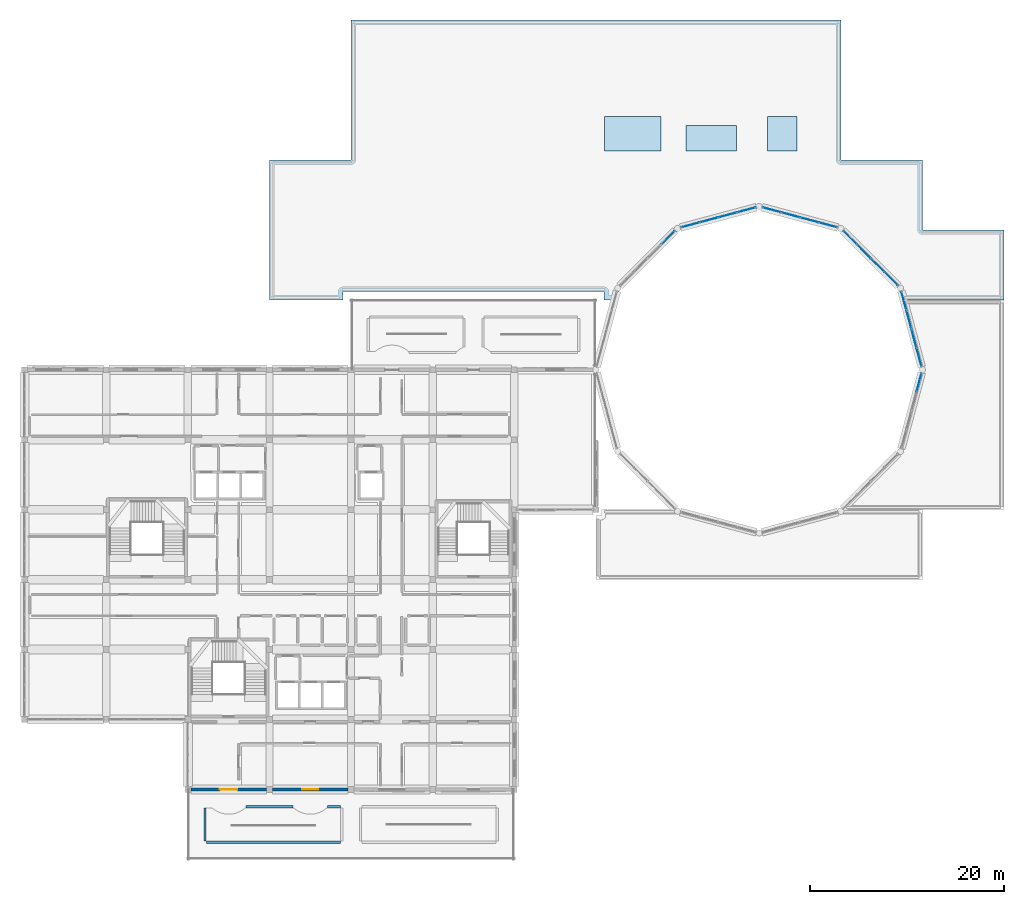
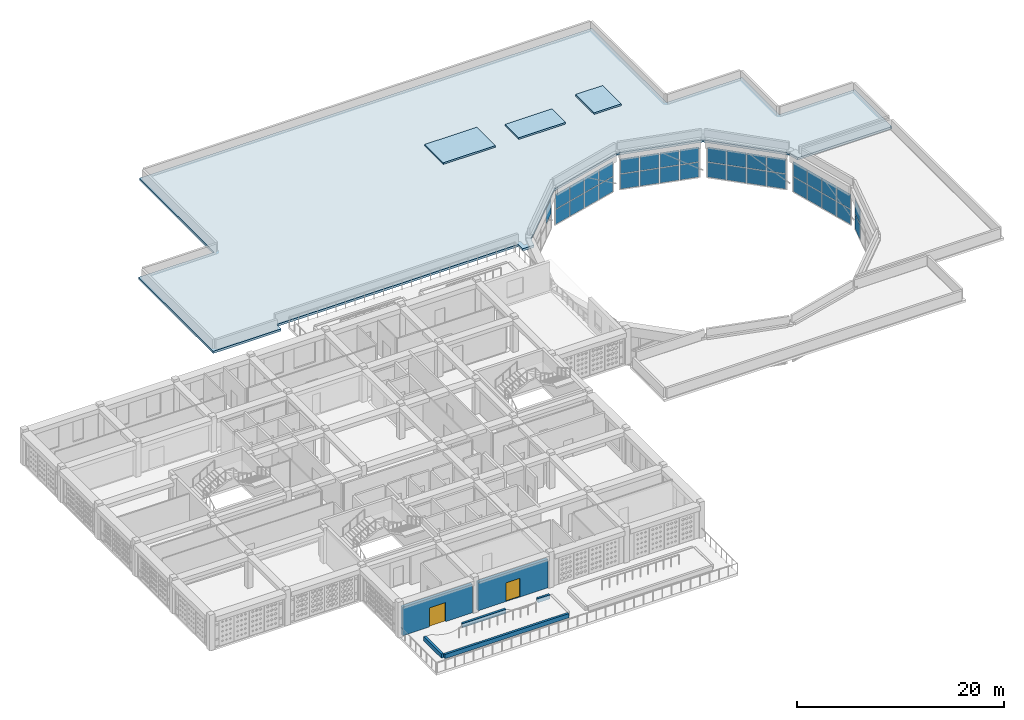
# One storey, part 27 of 48: 35 plates, 6 walls, 4 slabs, 2 doors, 2 openings, 6 elements without a shape of their own.
"""IFC4 building model written with IfcOpenShell, lengths in metres."""

from ifc_helpers import new_model, si_unit, derived_unit, direction, frame, frame_2d, origin, origin_2d, place, context, subcontext, project, spatial, polyline, rectangle, outline, extrude, material, layer, layer_set, type_object, element, fill, aggregate, save


model = new_model("IFC4")

# Units and contexts
model_context = context("Model", 3, precision=1e-05, world=origin(), true_north=direction((0.0, 1.0)))
body_context = subcontext(model_context, "Body", "Model", "MODEL_VIEW")
ifc_project = project(units=[si_unit("LENGTHUNIT", "METRE"), si_unit("AREAUNIT", "SQUARE_METRE"), si_unit("VOLUMEUNIT", "CUBIC_METRE"), si_unit("PLANEANGLEUNIT", "RADIAN"), si_unit("MASSUNIT", "GRAM", prefix="KILO"), derived_unit("THERMALTRANSMITTANCEUNIT", [(si_unit("POWERUNIT", "WATT"), 1), (si_unit("LENGTHUNIT", "METRE"), -2), (si_unit("THERMODYNAMICTEMPERATUREUNIT", "KELVIN"), -1)])], contexts=[model_context])

# Site, building, storey
site_placement = place(None, origin())
site = spatial("IfcSite", under=ifc_project, at=site_placement, CompositionType="ELEMENT")
building_placement = place(site_placement, origin())
building = spatial("IfcBuilding", under=site, at=building_placement, Name="Veybourne Emporium", CompositionType="ELEMENT")
storey_placement = place(building_placement, frame((0.0, 0.0, 27.89990234375)))
storey = spatial("IfcBuildingStorey", under=building, at=storey_placement, Name="L06", CompositionType="ELEMENT", Elevation=27.89990234375)

# Curtain wall, plates
ifc_material_1 = material(Name="Patinated Architectural Bronze", Category="bronze")
curtain_wall_type_1 = type_object("IfcCurtainWallType", Name="CWSystem_CWS-21", PredefinedType="NOTDEFINED", material=ifc_material_1)
curtain_wall_1_placement = place(storey_placement, origin())
curtain_wall_1 = element("IfcCurtainWall", 1, at=curtain_wall_1_placement, inside=storey, type_object=curtain_wall_type_1, Name="Atrium drum clerestory curtain wall 01", PredefinedType="NOTDEFINED")
ifc_material_2 = material(Name="Low-E Triple Glazing", Category="glass")
ifc_layer_1 = layer(ifc_material_2, 0.028076171875)
ifc_layer_set_1 = layer_set([ifc_layer_1], Name="Low-E Triple Glazing")
plate_type = type_object("IfcPlateType", Name="CWPanel_CW-P1", PredefinedType="CURTAIN_PANEL", material=ifc_layer_set_1)
plate_1_placement = place(storey_placement, frame((92.044189453125, 51.727783203125, -4.43017578125), z_axis=(0.0, 0.0, 1.0), x_axis=(-0.258819598266, 0.965925678069, 0.0)))
plate_1 = element("IfcPlate", 2, at=plate_1_placement, type_object=plate_type, Name="CWS-21 panel 1.1", PredefinedType="CURTAIN_PANEL", context=body_context, shape_type="SweptSolid", body=[
    extrude(rectangle(XDim=1.88916015625, YDim=0.028076171875, at=origin_2d()), origin(), (0.0, 0.0, 1.0), 1.735107421875),
])
plate_2_placement = place(storey_placement, frame((92.044189453125, 51.727783203125, -2.625), z_axis=(0.0, 0.0, 1.0), x_axis=(-0.258819598266, 0.965925678069, 0.0)))
plate_2 = element("IfcPlate", 3, at=plate_2_placement, type_object=plate_type, Name="CWS-21 panel 1.2", PredefinedType="CURTAIN_PANEL", context=body_context, shape_type="SweptSolid", body=[
    extrude(rectangle(XDim=1.88916015625, YDim=0.028076171875, at=origin_2d()), origin(), (0.0, 0.0, 1.0), 1.735107421875),
])
plate_3_placement = place(storey_placement, frame((91.53271484375, 53.636962890625, -4.43017578125), z_axis=(0.0, 0.0, 1.0), x_axis=(-0.258819598266, 0.965925678069, 0.0)))
plate_3 = element("IfcPlate", 4, at=plate_3_placement, type_object=plate_type, Name="CWS-21 panel 2.1", PredefinedType="CURTAIN_PANEL", context=body_context, shape_type="SweptSolid", body=[
    extrude(rectangle(XDim=1.924072265625, YDim=0.028076171875, at=origin_2d()), origin(), (0.0, 0.0, 1.0), 1.735107421875),
])
plate_4_placement = place(storey_placement, frame((91.53271484375, 53.636962890625, -2.625), z_axis=(0.0, 0.0, 1.0), x_axis=(-0.258819598266, 0.965925678069, 0.0)))
plate_4 = element("IfcPlate", 5, at=plate_4_placement, type_object=plate_type, Name="CWS-21 panel 2.2", PredefinedType="CURTAIN_PANEL", context=body_context, shape_type="SweptSolid", body=[
    extrude(rectangle(XDim=1.924072265625, YDim=0.028076171875, at=origin_2d()), origin(), (0.0, 0.0, 1.0), 1.735107421875),
])
plate_5_placement = place(storey_placement, frame((91.0166015625, 55.56298828125, -4.43017578125), z_axis=(0.0, 0.0, 1.0), x_axis=(-0.258819598266, 0.965925678069, 0.0)))
plate_5 = element("IfcPlate", 6, at=plate_5_placement, type_object=plate_type, Name="CWS-21 panel 3.1", PredefinedType="CURTAIN_PANEL", context=body_context, shape_type="SweptSolid", body=[
    extrude(rectangle(XDim=1.924072265625, YDim=0.028076171875, at=origin_2d()), origin(), (0.0, 0.0, 1.0), 1.735107421875),
])
plate_6_placement = place(storey_placement, frame((91.0166015625, 55.56298828125, -2.625), z_axis=(0.0, 0.0, 1.0), x_axis=(-0.258819598266, 0.965925678069, 0.0)))
plate_6 = element("IfcPlate", 7, at=plate_6_placement, type_object=plate_type, Name="CWS-21 panel 3.2", PredefinedType="CURTAIN_PANEL", context=body_context, shape_type="SweptSolid", body=[
    extrude(rectangle(XDim=1.924072265625, YDim=0.028076171875, at=origin_2d()), origin(), (0.0, 0.0, 1.0), 1.735107421875),
])
plate_7_placement = place(storey_placement, frame((90.5048828125, 57.472412109375, -4.43017578125), z_axis=(0.0, 0.0, 1.0), x_axis=(-0.258819598266, 0.965925678069, 0.0)))
plate_7 = element("IfcPlate", 8, at=plate_7_placement, type_object=plate_type, Name="CWS-21 panel 4.1", PredefinedType="CURTAIN_PANEL", context=body_context, shape_type="SweptSolid", body=[
    extrude(rectangle(XDim=1.88916015625, YDim=0.028076171875, at=origin_2d()), origin(), (0.0, 0.0, 1.0), 1.735107421875),
])
plate_8_placement = place(storey_placement, frame((90.5048828125, 57.472412109375, -2.625), z_axis=(0.0, 0.0, 1.0), x_axis=(-0.258819598266, 0.965925678069, 0.0)))
plate_8 = element("IfcPlate", 9, at=plate_8_placement, type_object=plate_type, Name="CWS-21 panel 4.2", PredefinedType="CURTAIN_PANEL", context=body_context, shape_type="SweptSolid", body=[
    extrude(rectangle(XDim=1.88916015625, YDim=0.028076171875, at=origin_2d()), origin(), (0.0, 0.0, 1.0), 1.735107421875),
])
aggregate(curtain_wall_1, [plate_1, plate_2, plate_3, plate_4, plate_5, plate_6, plate_7, plate_8])

curtain_wall_type_2 = type_object("IfcCurtainWallType", Name="CWSystem_CWS-22", PredefinedType="NOTDEFINED", material=ifc_material_1)
curtain_wall_2_placement = place(storey_placement, origin())
curtain_wall_2 = element("IfcCurtainWall", 10, at=curtain_wall_2_placement, inside=storey, type_object=curtain_wall_type_2, Name="Atrium drum clerestory curtain wall 02", PredefinedType="NOTDEFINED")
plate_9_placement = place(storey_placement, frame((89.17724609375, 59.77197265625, -4.43017578125), z_axis=(0.0, 0.0, 1.0), x_axis=(-0.707106781187, 0.707106781187, 0.0)))
plate_9 = element("IfcPlate", 11, at=plate_9_placement, type_object=plate_type, Name="CWS-22 panel 1.1", PredefinedType="CURTAIN_PANEL", context=body_context, shape_type="SweptSolid", body=[
    extrude(rectangle(XDim=1.88916015625, YDim=0.028076171875, at=origin_2d()), origin(), (0.0, 0.0, 1.0), 1.735107421875),
])
plate_10_placement = place(storey_placement, frame((89.17724609375, 59.77197265625, -2.625), z_axis=(0.0, 0.0, 1.0), x_axis=(-0.707106781187, 0.707106781187, 0.0)))
plate_10 = element("IfcPlate", 12, at=plate_10_placement, type_object=plate_type, Name="CWS-22 panel 1.2", PredefinedType="CURTAIN_PANEL", context=body_context, shape_type="SweptSolid", body=[
    extrude(rectangle(XDim=1.88916015625, YDim=0.028076171875, at=origin_2d()), origin(), (0.0, 0.0, 1.0), 1.735107421875),
])
plate_11_placement = place(storey_placement, frame((87.779541015625, 61.169677734375, -4.43017578125), z_axis=(0.0, 0.0, 1.0), x_axis=(-0.707106781187, 0.707106781187, 0.0)))
plate_11 = element("IfcPlate", 13, at=plate_11_placement, type_object=plate_type, Name="CWS-22 panel 2.1", PredefinedType="CURTAIN_PANEL", context=body_context, shape_type="SweptSolid", body=[
    extrude(rectangle(XDim=1.924072265625, YDim=0.028076171875, at=origin_2d()), origin(), (0.0, 0.0, 1.0), 1.735107421875),
])
plate_12_placement = place(storey_placement, frame((87.779541015625, 61.169677734375, -2.625), z_axis=(0.0, 0.0, 1.0), x_axis=(-0.707106781187, 0.707106781187, 0.0)))
plate_12 = element("IfcPlate", 14, at=plate_12_placement, type_object=plate_type, Name="CWS-22 panel 2.2", PredefinedType="CURTAIN_PANEL", context=body_context, shape_type="SweptSolid", body=[
    extrude(rectangle(XDim=1.924072265625, YDim=0.028076171875, at=origin_2d()), origin(), (0.0, 0.0, 1.0), 1.735107421875),
])
plate_13_placement = place(storey_placement, frame((86.36962890625, 62.57958984375, -4.43017578125), z_axis=(0.0, 0.0, 1.0), x_axis=(-0.707106781187, 0.707106781187, 0.0)))
plate_13 = element("IfcPlate", 15, at=plate_13_placement, type_object=plate_type, Name="CWS-22 panel 3.1", PredefinedType="CURTAIN_PANEL", context=body_context, shape_type="SweptSolid", body=[
    extrude(rectangle(XDim=1.924072265625, YDim=0.028076171875, at=origin_2d()), origin(), (0.0, 0.0, 1.0), 1.735107421875),
])
plate_14_placement = place(storey_placement, frame((86.36962890625, 62.57958984375, -2.625), z_axis=(0.0, 0.0, 1.0), x_axis=(-0.707106781187, 0.707106781187, 0.0)))
plate_14 = element("IfcPlate", 16, at=plate_14_placement, type_object=plate_type, Name="CWS-22 panel 3.2", PredefinedType="CURTAIN_PANEL", context=body_context, shape_type="SweptSolid", body=[
    extrude(rectangle(XDim=1.924072265625, YDim=0.028076171875, at=origin_2d()), origin(), (0.0, 0.0, 1.0), 1.735107421875),
])
plate_15_placement = place(storey_placement, frame((84.971923828125, 63.977294921875, -4.43017578125), z_axis=(0.0, 0.0, 1.0), x_axis=(-0.707106781187, 0.707106781187, 0.0)))
plate_15 = element("IfcPlate", 17, at=plate_15_placement, type_object=plate_type, Name="CWS-22 panel 4.1", PredefinedType="CURTAIN_PANEL", context=body_context, shape_type="SweptSolid", body=[
    extrude(rectangle(XDim=1.88916015625, YDim=0.028076171875, at=origin_2d()), origin(), (0.0, 0.0, 1.0), 1.735107421875),
])
plate_16_placement = place(storey_placement, frame((84.971923828125, 63.977294921875, -2.625), z_axis=(0.0, 0.0, 1.0), x_axis=(-0.707106781187, 0.707106781187, 0.0)))
plate_16 = element("IfcPlate", 18, at=plate_16_placement, type_object=plate_type, Name="CWS-22 panel 4.2", PredefinedType="CURTAIN_PANEL", context=body_context, shape_type="SweptSolid", body=[
    extrude(rectangle(XDim=1.88916015625, YDim=0.028076171875, at=origin_2d()), origin(), (0.0, 0.0, 1.0), 1.735107421875),
])
aggregate(curtain_wall_2, [plate_9, plate_10, plate_11, plate_12, plate_13, plate_14, plate_15, plate_16])

curtain_wall_type_3 = type_object("IfcCurtainWallType", Name="CWSystem_CWS-23", PredefinedType="NOTDEFINED", material=ifc_material_1)
curtain_wall_3_placement = place(storey_placement, origin())
curtain_wall_3 = element("IfcCurtainWall", 19, at=curtain_wall_3_placement, inside=storey, type_object=curtain_wall_type_3, Name="Atrium drum clerestory curtain wall 03", PredefinedType="NOTDEFINED")
plate_17_placement = place(storey_placement, frame((82.67236328125, 65.304931640625, -4.43017578125), z_axis=(0.0, 0.0, 1.0), x_axis=(-0.965925678069, 0.258819598266, 0.0)))
plate_17 = element("IfcPlate", 20, at=plate_17_placement, type_object=plate_type, Name="CWS-23 panel 1.1", PredefinedType="CURTAIN_PANEL", context=body_context, shape_type="SweptSolid", body=[
    extrude(rectangle(XDim=1.88916015625, YDim=0.028076171875, at=origin_2d()), origin(), (0.0, 0.0, 1.0), 1.735107421875),
])
plate_18_placement = place(storey_placement, frame((82.67236328125, 65.304931640625, -2.625), z_axis=(0.0, 0.0, 1.0), x_axis=(-0.965925678069, 0.258819598266, 0.0)))
plate_18 = element("IfcPlate", 21, at=plate_18_placement, type_object=plate_type, Name="CWS-23 panel 1.2", PredefinedType="CURTAIN_PANEL", context=body_context, shape_type="SweptSolid", body=[
    extrude(rectangle(XDim=1.88916015625, YDim=0.028076171875, at=origin_2d()), origin(), (0.0, 0.0, 1.0), 1.735107421875),
])
plate_19_placement = place(storey_placement, frame((80.76318359375, 65.816650390625, -4.43017578125), z_axis=(0.0, 0.0, 1.0), x_axis=(-0.965925678069, 0.258819598266, 0.0)))
plate_19 = element("IfcPlate", 22, at=plate_19_placement, type_object=plate_type, Name="CWS-23 panel 2.1", PredefinedType="CURTAIN_PANEL", context=body_context, shape_type="SweptSolid", body=[
    extrude(rectangle(XDim=1.924072265625, YDim=0.028076171875, at=origin_2d()), origin(), (0.0, 0.0, 1.0), 1.735107421875),
])
plate_20_placement = place(storey_placement, frame((80.76318359375, 65.816650390625, -2.625), z_axis=(0.0, 0.0, 1.0), x_axis=(-0.965925678069, 0.258819598266, 0.0)))
plate_20 = element("IfcPlate", 23, at=plate_20_placement, type_object=plate_type, Name="CWS-23 panel 2.2", PredefinedType="CURTAIN_PANEL", context=body_context, shape_type="SweptSolid", body=[
    extrude(rectangle(XDim=1.924072265625, YDim=0.028076171875, at=origin_2d()), origin(), (0.0, 0.0, 1.0), 1.735107421875),
])
plate_21_placement = place(storey_placement, frame((78.8369140625, 66.332763671875, -4.43017578125), z_axis=(0.0, 0.0, 1.0), x_axis=(-0.965925678069, 0.258819598266, 0.0)))
plate_21 = element("IfcPlate", 24, at=plate_21_placement, type_object=plate_type, Name="CWS-23 panel 3.1", PredefinedType="CURTAIN_PANEL", context=body_context, shape_type="SweptSolid", body=[
    extrude(rectangle(XDim=1.924072265625, YDim=0.028076171875, at=origin_2d()), origin(), (0.0, 0.0, 1.0), 1.735107421875),
])
plate_22_placement = place(storey_placement, frame((78.8369140625, 66.332763671875, -2.625), z_axis=(0.0, 0.0, 1.0), x_axis=(-0.965925678069, 0.258819598266, 0.0)))
plate_22 = element("IfcPlate", 25, at=plate_22_placement, type_object=plate_type, Name="CWS-23 panel 3.2", PredefinedType="CURTAIN_PANEL", context=body_context, shape_type="SweptSolid", body=[
    extrude(rectangle(XDim=1.924072265625, YDim=0.028076171875, at=origin_2d()), origin(), (0.0, 0.0, 1.0), 1.735107421875),
])
plate_23_placement = place(storey_placement, frame((76.927734375, 66.84423828125, -4.43017578125), z_axis=(0.0, 0.0, 1.0), x_axis=(-0.965925678069, 0.258819598266, 0.0)))
plate_23 = element("IfcPlate", 26, at=plate_23_placement, type_object=plate_type, Name="CWS-23 panel 4.1", PredefinedType="CURTAIN_PANEL", context=body_context, shape_type="SweptSolid", body=[
    extrude(rectangle(XDim=1.88916015625, YDim=0.028076171875, at=origin_2d()), origin(), (0.0, 0.0, 1.0), 1.735107421875),
])
plate_24_placement = place(storey_placement, frame((76.927734375, 66.84423828125, -2.625), z_axis=(0.0, 0.0, 1.0), x_axis=(-0.965925678069, 0.258819598266, 0.0)))
plate_24 = element("IfcPlate", 27, at=plate_24_placement, type_object=plate_type, Name="CWS-23 panel 4.2", PredefinedType="CURTAIN_PANEL", context=body_context, shape_type="SweptSolid", body=[
    extrude(rectangle(XDim=1.88916015625, YDim=0.028076171875, at=origin_2d()), origin(), (0.0, 0.0, 1.0), 1.735107421875),
])
aggregate(curtain_wall_3, [plate_17, plate_18, plate_19, plate_20, plate_21, plate_22, plate_23, plate_24])

curtain_wall_type_4 = type_object("IfcCurtainWallType", Name="CWSystem_CWS-24", PredefinedType="NOTDEFINED", material=ifc_material_1)
curtain_wall_4_placement = place(storey_placement, origin())
curtain_wall_4 = element("IfcCurtainWall", 28, at=curtain_wall_4_placement, inside=storey, type_object=curtain_wall_type_4, Name="Atrium drum clerestory curtain wall 04", PredefinedType="NOTDEFINED")
plate_25_placement = place(storey_placement, frame((74.272216796875, 66.84423828125, -4.43017578125), z_axis=(0.0, 0.0, 1.0), x_axis=(-0.965925678069, -0.258819598266, 0.0)))
plate_25 = element("IfcPlate", 29, at=plate_25_placement, type_object=plate_type, Name="CWS-24 panel 1.1", PredefinedType="CURTAIN_PANEL", context=body_context, shape_type="SweptSolid", body=[
    extrude(rectangle(XDim=1.88916015625, YDim=0.028076171875, at=origin_2d()), origin(), (0.0, 0.0, 1.0), 1.735107421875),
])
plate_26_placement = place(storey_placement, frame((74.272216796875, 66.84423828125, -2.625), z_axis=(0.0, 0.0, 1.0), x_axis=(-0.965925678069, -0.258819598266, 0.0)))
plate_26 = element("IfcPlate", 30, at=plate_26_placement, type_object=plate_type, Name="CWS-24 panel 1.2", PredefinedType="CURTAIN_PANEL", context=body_context, shape_type="SweptSolid", body=[
    extrude(rectangle(XDim=1.88916015625, YDim=0.028076171875, at=origin_2d()), origin(), (0.0, 0.0, 1.0), 1.735107421875),
])
plate_27_placement = place(storey_placement, frame((72.363037109375, 66.332763671875, -4.43017578125), z_axis=(0.0, 0.0, 1.0), x_axis=(-0.965925678069, -0.258819598266, 0.0)))
plate_27 = element("IfcPlate", 31, at=plate_27_placement, type_object=plate_type, Name="CWS-24 panel 2.1", PredefinedType="CURTAIN_PANEL", context=body_context, shape_type="SweptSolid", body=[
    extrude(rectangle(XDim=1.924072265625, YDim=0.028076171875, at=origin_2d()), origin(), (0.0, 0.0, 1.0), 1.735107421875),
])
plate_28_placement = place(storey_placement, frame((72.363037109375, 66.332763671875, -2.625), z_axis=(0.0, 0.0, 1.0), x_axis=(-0.965925678069, -0.258819598266, 0.0)))
plate_28 = element("IfcPlate", 32, at=plate_28_placement, type_object=plate_type, Name="CWS-24 panel 2.2", PredefinedType="CURTAIN_PANEL", context=body_context, shape_type="SweptSolid", body=[
    extrude(rectangle(XDim=1.924072265625, YDim=0.028076171875, at=origin_2d()), origin(), (0.0, 0.0, 1.0), 1.735107421875),
])
plate_29_placement = place(storey_placement, frame((70.43701171875, 65.816650390625, -4.43017578125), z_axis=(0.0, 0.0, 1.0), x_axis=(-0.965925678069, -0.258819598266, 0.0)))
plate_29 = element("IfcPlate", 33, at=plate_29_placement, type_object=plate_type, Name="CWS-24 panel 3.1", PredefinedType="CURTAIN_PANEL", context=body_context, shape_type="SweptSolid", body=[
    extrude(rectangle(XDim=1.924072265625, YDim=0.028076171875, at=origin_2d()), origin(), (0.0, 0.0, 1.0), 1.735107421875),
])
plate_30_placement = place(storey_placement, frame((70.43701171875, 65.816650390625, -2.625), z_axis=(0.0, 0.0, 1.0), x_axis=(-0.965925678069, -0.258819598266, 0.0)))
plate_30 = element("IfcPlate", 34, at=plate_30_placement, type_object=plate_type, Name="CWS-24 panel 3.2", PredefinedType="CURTAIN_PANEL", context=body_context, shape_type="SweptSolid", body=[
    extrude(rectangle(XDim=1.924072265625, YDim=0.028076171875, at=origin_2d()), origin(), (0.0, 0.0, 1.0), 1.735107421875),
])
plate_31_placement = place(storey_placement, frame((68.527587890625, 65.304931640625, -4.43017578125), z_axis=(0.0, 0.0, 1.0), x_axis=(-0.965925678069, -0.258819598266, 0.0)))
plate_31 = element("IfcPlate", 35, at=plate_31_placement, type_object=plate_type, Name="CWS-24 panel 4.1", PredefinedType="CURTAIN_PANEL", context=body_context, shape_type="SweptSolid", body=[
    extrude(rectangle(XDim=1.88916015625, YDim=0.028076171875, at=origin_2d()), origin(), (0.0, 0.0, 1.0), 1.735107421875),
])
plate_32_placement = place(storey_placement, frame((68.527587890625, 65.304931640625, -2.625), z_axis=(0.0, 0.0, 1.0), x_axis=(-0.965925678069, -0.258819598266, 0.0)))
plate_32 = element("IfcPlate", 36, at=plate_32_placement, type_object=plate_type, Name="CWS-24 panel 4.2", PredefinedType="CURTAIN_PANEL", context=body_context, shape_type="SweptSolid", body=[
    extrude(rectangle(XDim=1.88916015625, YDim=0.028076171875, at=origin_2d()), origin(), (0.0, 0.0, 1.0), 1.735107421875),
])
aggregate(curtain_wall_4, [plate_25, plate_26, plate_27, plate_28, plate_29, plate_30, plate_31, plate_32])

# Curtain wall, plate
curtain_wall_type_5 = type_object("IfcCurtainWallType", Name="CWSystem_CWS-25", PredefinedType="NOTDEFINED", material=ifc_material_1)
curtain_wall_5_placement = place(storey_placement, origin())
curtain_wall_5 = element("IfcCurtainWall", 37, at=curtain_wall_5_placement, inside=storey, type_object=curtain_wall_type_5, Name="Atrium drum clerestory curtain wall 05", PredefinedType="NOTDEFINED")
plate_33_placement = place(storey_placement, frame((66.22802734375, 63.977294921875, -2.625), z_axis=(0.0, 0.0, 1.0), x_axis=(-0.707106781187, -0.707106781187, 0.0)))
plate_33 = element("IfcPlate", 38, at=plate_33_placement, type_object=plate_type, Name="CWS-25 panel 1.2", PredefinedType="CURTAIN_PANEL", context=body_context, shape_type="SweptSolid", body=[
    extrude(rectangle(XDim=1.88916015625, YDim=0.028076171875, at=origin_2d()), origin(), (0.0, 0.0, 1.0), 1.735107421875),
])
aggregate(curtain_wall_5, [plate_33])

# Curtain wall, plates
curtain_wall_6_placement = place(storey_placement, origin())
curtain_wall_6 = element("IfcCurtainWall", 39, at=curtain_wall_6_placement, inside=storey, type_object=curtain_wall_type_4, Name="Atrium drum clerestory curtain wall 12", PredefinedType="NOTDEFINED")
plate_34_placement = place(storey_placement, frame((92.044189453125, 49.072265625, -4.43017578125), z_axis=(0.0, 0.0, 1.0), x_axis=(0.258819598266, 0.965925678069, 0.0)))
plate_34 = element("IfcPlate", 40, at=plate_34_placement, type_object=plate_type, Name="CWS-24 panel 4.1", PredefinedType="CURTAIN_PANEL", context=body_context, shape_type="SweptSolid", body=[
    extrude(rectangle(XDim=1.88916015625, YDim=0.028076171875, at=origin_2d()), origin(), (0.0, 0.0, 1.0), 1.735107421875),
])
plate_35_placement = place(storey_placement, frame((92.044189453125, 49.072265625, -2.625), z_axis=(0.0, 0.0, 1.0), x_axis=(0.258819598266, 0.965925678069, 0.0)))
plate_35 = element("IfcPlate", 41, at=plate_35_placement, type_object=plate_type, Name="CWS-24 panel 4.2", PredefinedType="CURTAIN_PANEL", context=body_context, shape_type="SweptSolid", body=[
    extrude(rectangle(XDim=1.88916015625, YDim=0.028076171875, at=origin_2d()), origin(), (0.0, 0.0, 1.0), 1.735107421875),
])
aggregate(curtain_wall_6, [plate_34, plate_35])

# Slabs
ifc_material_3 = material(Name="Concrete C32/40", Category="concrete")
ifc_layer_2 = layer(ifc_material_3, 0.199951171875)
ifc_layer_set_2 = layer_set([ifc_layer_2], Name="Concrete C32/40")
slab_type_1 = type_object("IfcSlabType", Name="Slab_FS-04", PredefinedType="FLOOR", material=ifc_layer_set_2)
slab_1_placement = place(storey_placement, frame((0.0, 0.0, 0.650146484375)))
element("IfcSlab", 42, at=slab_1_placement, inside=storey, type_object=slab_type_1, Name="Lift core C4P overrun cap slab", PredefinedType="FLOOR", context=body_context, shape_type="SweptSolid", body=[
    extrude(outline(polyline([(68.06005859375, 72.909912109375), (73.280029296875, 72.909912109375), (73.280029296875, 75.5400390625), (68.06005859375, 75.5400390625), (68.06005859375, 72.909912109375)])), origin(), (0.0, 0.0, 1.0), 0.199951171875),
])
slab_2_placement = place(storey_placement, frame((0.0, 0.0, 0.650146484375)))
element("IfcSlab", 43, at=slab_2_placement, inside=storey, type_object=slab_type_1, Name="Lift core C4G overrun cap slab", PredefinedType="FLOOR", context=body_context, shape_type="SweptSolid", body=[
    extrude(outline(polyline([(59.659912109375, 72.909912109375), (65.47998046875, 72.909912109375), (65.47998046875, 76.489990234375), (59.659912109375, 76.489990234375), (59.659912109375, 72.909912109375)])), origin(), (0.0, 0.0, 1.0), 0.199951171875),
])
slab_3_placement = place(storey_placement, frame((0.0, 0.0, 0.650146484375)))
element("IfcSlab", 44, at=slab_3_placement, inside=storey, type_object=slab_type_1, Name="Lift core C4E overrun cap slab", PredefinedType="FLOOR", context=body_context, shape_type="SweptSolid", body=[
    extrude(outline(polyline([(76.4599609375, 72.909912109375), (79.489990234375, 72.909912109375), (79.489990234375, 76.489990234375), (76.4599609375, 76.489990234375), (76.4599609375, 72.909912109375)])), origin(), (0.0, 0.0, 1.0), 0.199951171875),
])
ifc_layer_3 = layer(ifc_material_3, 0.260009765625)
ifc_layer_set_3 = layer_set([ifc_layer_3], Name="Concrete C32/40")
slab_type_2 = type_object("IfcSlabType", Name="Slab_RS-01", PredefinedType="ROOF", material=ifc_layer_set_3)
slab_4_placement = place(storey_placement, frame((0.0, 0.0, -0.260009765625)))
element("IfcSlab", 45, at=slab_4_placement, inside=storey, type_object=slab_type_2, Name="L06 flat roof slab 1", PredefinedType="ROOF", context=body_context, shape_type="SweptSolid", body=[
    extrude(outline(polyline([(33.60009765625, 79.199951171875), (33.60009765625, 86.39990234375), (42.0, 86.39990234375), (50.39990234375, 86.39990234375), (58.800048828125, 86.39990234375), (67.199951171875, 86.39990234375), (75.60009765625, 86.39990234375), (84.0, 86.39990234375), (84.0, 79.199951171875), (84.0, 72.0), (92.39990234375, 72.0), (92.39990234375, 64.800048828125), (100.800048828125, 64.800048828125), (100.800048828125, 57.60009765625), (92.39990234375, 57.60009765625), (90.270751953125, 57.60009765625), (89.97607421875, 58.699951171875), (83.89990234375, 64.776123046875), (75.60009765625, 67.0), (67.300048828125, 64.776123046875), (61.223876953125, 58.699951171875), (60.92919921875, 57.60009765625), (59.64990234375, 57.60009765625), (59.64990234375, 58.449951171875), (32.75, 58.449951171875), (32.75, 57.60009765625), (25.199951171875, 57.60009765625), (25.199951171875, 64.800048828125), (25.199951171875, 72.0), (33.60009765625, 72.0), (33.60009765625, 79.199951171875)])), origin(), (0.0, 0.0, 1.0), 0.260009765625),
])

# Wall, opening, door
ifc_material_4 = material(Name="Portland Limestone Ashlar", Category="masonry")
ifc_layer_4 = layer(ifc_material_4, 0.330078125)
ifc_layer_set_4 = layer_set([ifc_layer_4], Name="Portland Limestone Ashlar")
wall_type_1 = type_object("IfcWallType", Name="ExtWall_EW-04", PredefinedType="SOLIDWALL", material=ifc_layer_set_4)
wall_1_placement = place(storey_placement, frame((24.89990234375, 7.199951171875, 0.0), z_axis=(0.0, 0.0, 1.0), x_axis=(-1.0, 0.0, 0.0)))
wall_1 = element("IfcWall", 46, at=wall_1_placement, inside=storey, type_object=wall_type_1, Name="L06 terrace facade wall 010", PredefinedType="SOLIDWALL", context=body_context, shape_type="SweptSolid", body=[
    extrude(rectangle(XDim=7.7998046875, YDim=0.330078125, at=frame_2d((3.89990234375, 0.0))), origin(), (0.0, 0.0, 1.0), 3.360107421875),
])
opening_1_placement = place(wall_1_placement, frame((3.0, 0.0, 0.0)))
opening_1 = element("IfcOpeningElement", 47, at=opening_1_placement, cuts=wall_1, Name="Opening TD-01", PredefinedType="OPENING", context=body_context, shape_type="SweptSolid", body=[
    extrude(rectangle(XDim=1.800048828125, YDim=2.25, at=frame_2d((0.89990234375, 1.125))), frame((0.0, 0.18505859375, 0.0), z_axis=(0.0, -1.0, 0.0), x_axis=(1.0, 0.0, 0.0)), (0.0, 0.0, 1.0), 0.3701171875),
])
door_type_1 = type_object("IfcDoorType", Name="TerrDoor_TD-01", OperationType="NOTDEFINED", PredefinedType="DOOR", material=ifc_material_1)
door_1_placement = place(opening_1_placement, origin())
door_1 = element("IfcDoor", 48, at=door_1_placement, inside=storey, type_object=door_type_1, Name="L06 roof-garden terrace door 01", OperationType="SINGLE_SWING_RIGHT", OverallHeight=2.25, OverallWidth=1.800048828125, PredefinedType="DOOR", context=body_context, shape_type="SweptSolid", body=[
    extrude(rectangle(XDim=1.800048828125, YDim=2.25, at=frame_2d((0.89990234375, 1.125))), frame((0.0, 0.02490234375, 0.0), z_axis=(0.0, -1.0, 0.0), x_axis=(1.0, 0.0, 0.0)), (0.0, 0.0, 1.0), 0.050048828125),
])
fill(opening_1, door_1)

wall_2_placement = place(storey_placement, frame((33.300048828125, 7.199951171875, 0.0), z_axis=(0.0, 0.0, 1.0), x_axis=(-1.0, 0.0, 0.0)))
wall_2 = element("IfcWall", 49, at=wall_2_placement, inside=storey, type_object=wall_type_1, Name="L06 terrace facade wall 013", PredefinedType="SOLIDWALL", context=body_context, shape_type="SweptSolid", body=[
    extrude(rectangle(XDim=7.800048828125, YDim=0.330078125, at=frame_2d((3.89990234375, 0.0))), origin(), (0.0, 0.0, 1.0), 3.360107421875),
])
opening_2_placement = place(wall_2_placement, frame((3.10009765625, 0.0, 0.0)))
opening_2 = element("IfcOpeningElement", 50, at=opening_2_placement, cuts=wall_2, Name="Opening TD-02", PredefinedType="OPENING", context=body_context, shape_type="SweptSolid", body=[
    extrude(rectangle(XDim=1.60009765625, YDim=2.199951171875, at=frame_2d((0.800048828125, 1.10009765625))), frame((0.0, 0.18505859375, 0.0), z_axis=(0.0, -1.0, 0.0), x_axis=(1.0, 0.0, 0.0)), (0.0, 0.0, 1.0), 0.3701171875),
])
door_type_2 = type_object("IfcDoorType", Name="TerrDoor_TD-02", OperationType="NOTDEFINED", PredefinedType="DOOR", material=ifc_material_1)
door_2_placement = place(opening_2_placement, origin())
door_2 = element("IfcDoor", 51, at=door_2_placement, inside=storey, type_object=door_type_2, Name="L06 roof-garden terrace door 02", OperationType="SINGLE_SWING_LEFT", OverallHeight=2.199951171875, OverallWidth=1.60009765625, PredefinedType="DOOR", context=body_context, shape_type="SweptSolid", body=[
    extrude(rectangle(XDim=1.60009765625, YDim=2.199951171875, at=frame_2d((0.800048828125, 1.10009765625))), frame((0.0, 0.02490234375, 0.0), z_axis=(0.0, -1.0, 0.0), x_axis=(1.0, 0.0, 0.0)), (0.0, 0.0, 1.0), 0.050048828125),
])
fill(opening_2, door_2)

# Walls
ifc_material_5 = material(Name="Precast concrete C40/50", Category="concrete")
ifc_layer_5 = layer(ifc_material_5, 0.239990234375)
ifc_layer_set_5 = layer_set([ifc_layer_5], Name="Precast concrete C40/50")
wall_type_2 = type_object("IfcWallType", Name="ExtWall_PW-02", PredefinedType="PARAPET", material=ifc_layer_set_5)
wall_3_placement = place(storey_placement, frame((22.778076171875, 5.429931640625, 0.0), z_axis=(0.0, 0.0, 1.0), x_axis=(1.0, 0.0, 0.0)))
element("IfcWall", 52, at=wall_3_placement, inside=storey, type_object=wall_type_2, Name="L06 planted roof-garden kerb 009", PredefinedType="PARAPET", context=body_context, shape_type="SweptSolid", body=[
    extrude(rectangle(XDim=4.84375, YDim=0.239990234375, at=frame_2d((2.421875, 0.0))), origin(), (0.0, 0.0, 1.0), 0.5),
])
wall_4_placement = place(storey_placement, frame((31.177978515625, 5.429931640625, 0.0), z_axis=(0.0, 0.0, 1.0), x_axis=(1.0, 0.0, 0.0)))
element("IfcWall", 53, at=wall_4_placement, inside=storey, type_object=wall_type_2, Name="L06 planted roof-garden kerb 010", PredefinedType="PARAPET", context=body_context, shape_type="SweptSolid", body=[
    extrude(rectangle(XDim=1.322021484375, YDim=0.239990234375, at=frame_2d((0.6611328125, 0.0))), origin(), (0.0, 0.0, 1.0), 0.5),
])
wall_5_placement = place(storey_placement, frame((32.5, 1.77001953125, 0.0), z_axis=(0.0, 0.0, 1.0), x_axis=(-1.0, 0.0, 0.0)))
element("IfcWall", 54, at=wall_5_placement, inside=storey, type_object=wall_type_2, Name="L06 planted roof-garden kerb 012", PredefinedType="PARAPET", context=body_context, shape_type="SweptSolid", body=[
    extrude(rectangle(XDim=13.800048828125, YDim=0.239990234375, at=frame_2d((6.89990234375, 0.0))), origin(), (0.0, 0.0, 1.0), 0.5),
])
wall_6_placement = place(storey_placement, frame((18.570068359375, 1.89990234375, 0.0), z_axis=(0.0, 0.0, 1.0), x_axis=(0.0, 1.0, 0.0)))
element("IfcWall", 55, at=wall_6_placement, inside=storey, type_object=wall_type_2, Name="L06 planted roof-garden kerb 013", PredefinedType="PARAPET", context=body_context, shape_type="SweptSolid", body=[
    extrude(rectangle(XDim=3.400146484375, YDim=0.239990234375, at=frame_2d((1.7001953125, 0.0))), origin(), (0.0, 0.0, 1.0), 0.5),
])

save(model, "model.ifc")
